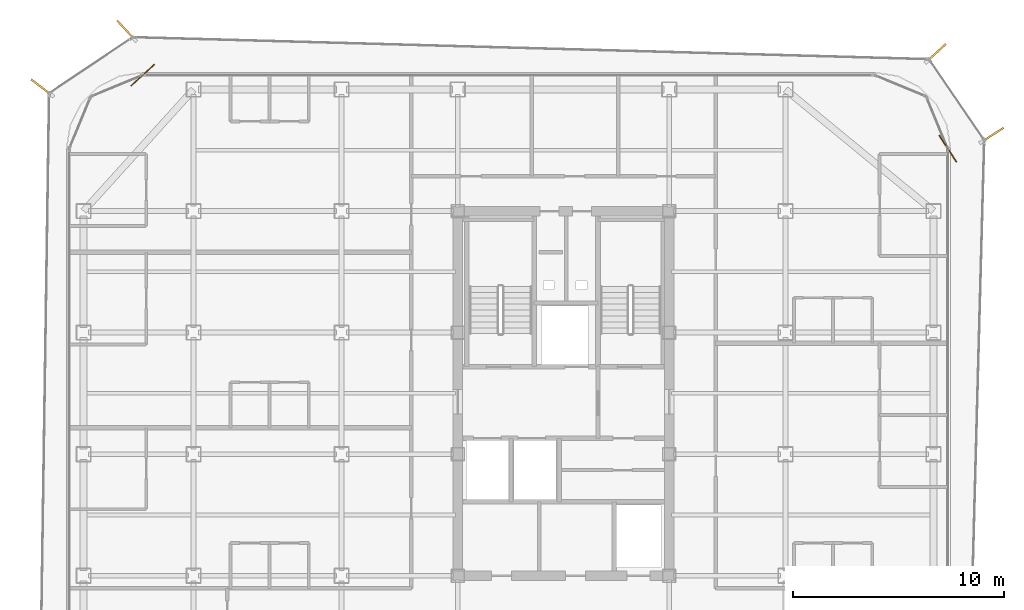
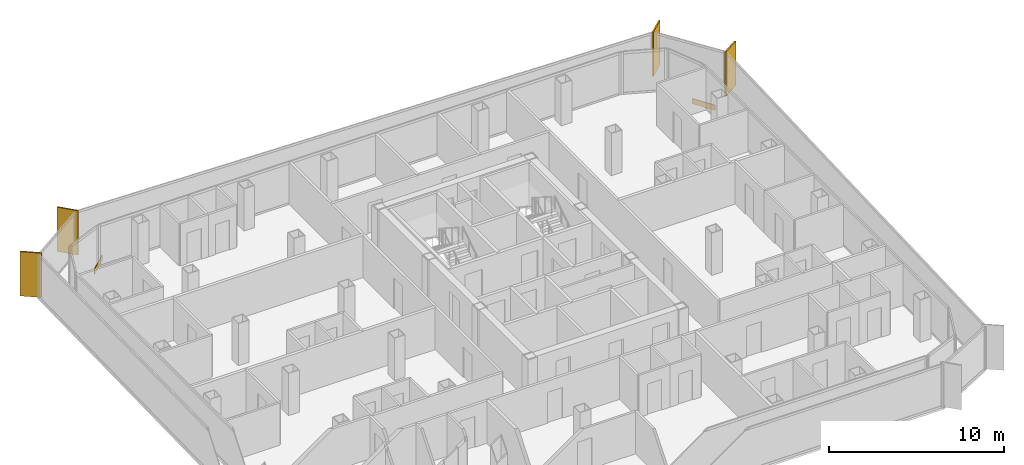
# One storey, part 16 of 16: 4 shading devices, 2 coverings.
"""IFC4 building model written with IfcOpenShell, lengths in metres."""

from ifc_helpers import new_model, si_unit, direction, frame, origin, origin_2d, place, context, subcontext, project, spatial, rectangle, extrude, source, transform, mapped, material, layer, layer_set, type_object, element, save


model = new_model("IFC4")

# Units and contexts
model_context = context("Model", 3, precision=1e-05, world=origin(), true_north=direction((0.0, 1.0)))
body_context = subcontext(model_context, "Body", "Model", "MODEL_VIEW")
ifc_project = project(units=[si_unit("LENGTHUNIT", "METRE"), si_unit("AREAUNIT", "SQUARE_METRE"), si_unit("VOLUMEUNIT", "CUBIC_METRE"), si_unit("PLANEANGLEUNIT", "RADIAN"), si_unit("MASSUNIT", "GRAM", prefix="KILO")], contexts=[model_context])

# Site, building, storey
site_placement = place(None, origin())
site = spatial("IfcSite", under=ifc_project, at=site_placement, CompositionType="ELEMENT")
building_placement = place(site_placement, origin())
building = spatial("IfcBuilding", under=site, at=building_placement, Name="Kolveth Station Tower", CompositionType="ELEMENT")
storey_placement = place(building_placement, frame((0.0, 0.0, 159.300048828125)))
storey = spatial("IfcBuildingStorey", under=building, at=storey_placement, Name="L44", CompositionType="ELEMENT", Elevation=159.300048828125)

# Shading devices
ifc_material_1 = material(Name="Black anodized aluminium 6063-T6", Category="aluminium")
shading_device_type = type_object("IfcShadingDeviceType", Name="FIN_VF1", PredefinedType="USERDEFINED", material=ifc_material_1)
shared_shape_1 = source(origin(), body_context, "Body", "SweptSolid", [
    extrude(rectangle(XDim=1.25, YDim=0.090087890625, at=origin_2d()), origin(), (0.0, 0.0, 1.0), 3.10009765625),
])
for number, where, z_axis, x_axis, name in (
    (1, (43.784912109375, 32.347900390625, 0.0), (0.0, 0.0, 1.0), (0.841416479405, 0.540387183587, 0.0), "L44 Dark-Aluminium Solar Fin 3"),
    (2, (41.126953125, 36.23095703125, 0.0), (0.0, 0.0, 1.0), (0.73645139763, 0.676490457382, 0.0), "L44 Dark-Aluminium Solar Fin 4"),
    (3, (2.81494140625, 37.297119140625, 0.0), (0.0, 0.0, 1.0), (-0.677261296414, 0.735742574804, 0.0), "L44 Dark-Aluminium Solar Fin 5"),
    (4, (-1.181884765625, 34.595947265625, 0.0), (0.0, 0.0, 1.0), (-0.793353340291, 0.608761429009, 0.0), "L44 Dark-Aluminium Solar Fin 6"),
):
    element("IfcShadingDevice", number, at=place(storey_placement, frame(where, z_axis=z_axis, x_axis=x_axis)), inside=storey, type_object=shading_device_type, Name=name, ObjectType="FIN", PredefinedType="USERDEFINED", context=body_context, shape_type="MappedRepresentation", body=[
        mapped(shared_shape_1, transform((0.0, 0.0, 0.0), x_axis=(1.0, 0.0, 0.0), y_axis=(0.0, 1.0, 0.0), z_axis=(0.0, 0.0, 1.0), scale=1.0)),
    ])

# Coverings
ifc_material_2 = material(Name="Charcoal anodized aluminium spandrel cladding", Category="aluminium")
ifc_layer = layer(ifc_material_2, 0.044921875)
ifc_layer_set = layer_set([ifc_layer], Name="Charcoal anodized aluminium spandrel cladding")
covering_type = type_object("IfcCoveringType", Name="Clad_CD1", PredefinedType="CLADDING", material=ifc_layer_set)
shared_shape_2 = source(origin(), body_context, "Body", "SweptSolid", [
    extrude(rectangle(XDim=1.5, YDim=0.044921875, at=origin_2d()), origin(), (0.0, 0.0, 1.0), 0.360107421875),
])
for number, where, z_axis, x_axis, name in (
    (5, (41.679931640625, 31.699951171875, 0.0), (0.0, 0.0, 1.0), (-0.540387183587, 0.841416479405, 0.0), "L44 Spandrel Edge Cladding 3"),
    (6, (3.60009765625, 35.179931640625, 0.0), (0.0, 0.0, 1.0), (-0.735742574804, -0.677261296414, 0.0), "L44 Spandrel Edge Cladding 5"),
):
    element("IfcCovering", number, at=place(storey_placement, frame(where, z_axis=z_axis, x_axis=x_axis)), inside=storey, type_object=covering_type, Name=name, PredefinedType="CLADDING", context=body_context, shape_type="MappedRepresentation", body=[
        mapped(shared_shape_2, transform((0.0, 0.0, 0.0), x_axis=(1.0, 0.0, 0.0), y_axis=(0.0, 1.0, 0.0), z_axis=(0.0, 0.0, 1.0), scale=1.0)),
    ])

save(model, "model.ifc")
